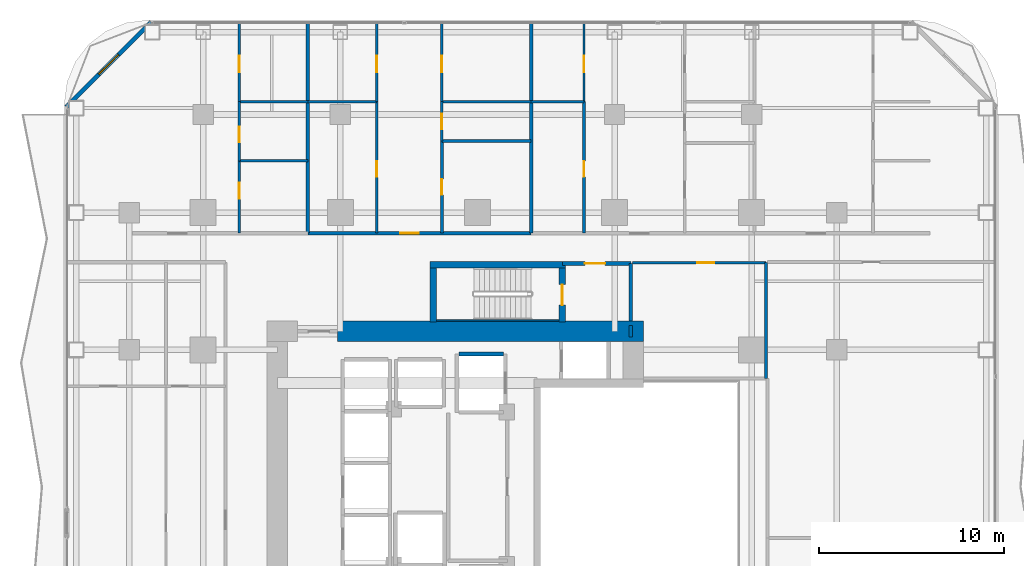
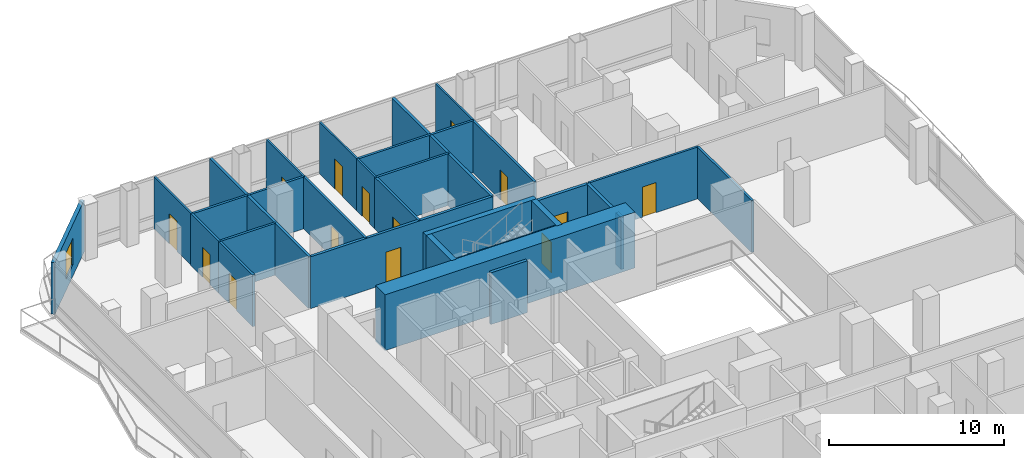
# One storey, part 23 of 27: 31 walls, 14 doors, 1 window, 15 openings.
"""IFC4 building model written with IfcOpenShell, lengths in metres."""

from ifc_helpers import new_model, si_unit, direction, frame, frame_2d, origin, place, context, subcontext, project, spatial, rectangle, extrude, material, layer, layer_set, type_object, element, fill, save


model = new_model("IFC4")

# Units and contexts
model_context = context("Model", 3, precision=1e-05, world=origin(), true_north=direction((0.0, 1.0)))
body_context = subcontext(model_context, "Body", "Model", "MODEL_VIEW")
ifc_project = project(units=[si_unit("LENGTHUNIT", "METRE"), si_unit("AREAUNIT", "SQUARE_METRE"), si_unit("VOLUMEUNIT", "CUBIC_METRE"), si_unit("PLANEANGLEUNIT", "RADIAN"), si_unit("MASSUNIT", "GRAM", prefix="KILO")], contexts=[model_context])

# Site, building, storey
site_placement = place(None, origin())
site = spatial("IfcSite", under=ifc_project, at=site_placement, CompositionType="ELEMENT")
building_placement = place(site_placement, origin())
building = spatial("IfcBuilding", under=site, at=building_placement, Name="Khorvyn Point Tower", CompositionType="ELEMENT")
storey_placement = place(building_placement, frame((0.0, 0.0, 50.10009765625)))
storey = spatial("IfcBuildingStorey", under=building, at=storey_placement, Name="L13", CompositionType="ELEMENT", Elevation=50.10009765625)

# Wall, opening, door
ifc_material_1 = material(Name="Double acoustic gypsum on twin steel stud", Category="steel")
ifc_layer_1 = layer(ifc_material_1, 0.179931640625)
ifc_layer_set_1 = layer_set([ifc_layer_1], Name="Acoustic Double-Stud Apartment Demising Wall 180")
wall_type_1 = type_object("IfcWallType", Name="Acoustic Double-Stud Apartment Demising Wall 180", PredefinedType="PARTITIONING", material=ifc_layer_set_1)
wall_1_placement = place(storey_placement, frame((-9.15087890625, 13.699951171875, 0.0), z_axis=(0.0, 0.0, 1.0), x_axis=(1.0, 0.0, 0.0)))
wall_1 = element("IfcWall", 1, at=wall_1_placement, inside=storey, type_object=wall_type_1, Name="Wall", PredefinedType="PARTITIONING", context=body_context, shape_type="SweptSolid", body=[
    extrude(rectangle(XDim=12.05078125, YDim=0.179931640625, at=frame_2d((6.025390625, 0.0))), origin(), (0.0, 0.0, 1.0), 3.619873046875),
])
opening_1_placement = place(wall_1_placement, frame((4.989013671875, 0.0, 0.0)))
opening_1 = element("IfcOpeningElement", 2, at=opening_1_placement, cuts=wall_1, Name="Opening ID-AP60", PredefinedType="OPENING", context=body_context, shape_type="SweptSolid", body=[
    extrude(rectangle(XDim=1.0, YDim=2.199951171875, at=frame_2d((0.5, 1.10009765625))), frame((0.0, 0.099853515625, 0.0), z_axis=(0.0, -1.0, 0.0), x_axis=(1.0, 0.0, 0.0)), (0.0, 0.0, 1.0), 0.199951171875),
])
ifc_material_2 = material(Name="Engineered hardwood fire-rated leaf", Category="wood")
door_type_1 = type_object("IfcDoorType", Name="Acoustic Solid-Core Timber Apartment Entrance Door 1000x2200", OperationType="NOTDEFINED", PredefinedType="DOOR", material=ifc_material_2)
door_1_placement = place(opening_1_placement, origin())
door_1 = element("IfcDoor", 3, at=door_1_placement, inside=storey, type_object=door_type_1, Name="Door", OperationType="SINGLE_SWING_RIGHT", OverallHeight=2.199951171875, OverallWidth=1.0, PredefinedType="DOOR", context=body_context, shape_type="SweptSolid", body=[
    extrude(rectangle(XDim=1.0, YDim=2.199951171875, at=frame_2d((0.5, 1.10009765625))), frame((0.0, 0.02490234375, 0.0), z_axis=(0.0, -1.0, 0.0), x_axis=(1.0, 0.0, 0.0)), (0.0, 0.0, 1.0), 0.050048828125),
])
fill(opening_1, door_1)

# Walls
for number, where, z_axis, x_axis, name in (
    (4, (-9.15087890625, 13.699951171875, 0.0), (0.0, 0.0, 1.0), (0.0, 1.0, 0.0), "Wall"),
    (5, (2.89990234375, 13.699951171875, 0.0), (0.0, 0.0, 1.0), (0.0, 1.0, 0.0), "Wall"),
):
    element("IfcWall", number, at=place(storey_placement, frame(where, z_axis=z_axis, x_axis=x_axis)), inside=storey, type_object=wall_type_1, Name=name, PredefinedType="PARTITIONING", context=body_context, shape_type="SweptSolid", body=[
        extrude(rectangle(XDim=11.330078125, YDim=0.179931640625, at=frame_2d((5.6650390625, 0.0))), origin(), (0.0, 0.0, 1.0), 3.619873046875),
    ])

# Wall, opening, window
ifc_material_3 = material(Name="Pale anodised aluminium rainscreen on steel stud", Category="steel")
ifc_layer_2 = layer(ifc_material_3, 0.239990234375)
ifc_layer_set_2 = layer_set([ifc_layer_2], Name="Anodised Aluminium Insulated Corner Spandrel Wall 240")
wall_type_2 = type_object("IfcWallType", Name="Anodised Aluminium Insulated Corner Spandrel Wall 240", PredefinedType="SOLIDWALL", material=ifc_layer_set_2)
wall_2_placement = place(storey_placement, frame((-22.1923828125, 20.507568359375, 0.0), z_axis=(0.0, 0.0, 1.0), x_axis=(0.707106781187, 0.707106781187, 0.0)))
wall_2 = element("IfcWall", 6, at=wall_2_placement, inside=storey, type_object=wall_type_2, Name="L13 Rounded Corner Wall NW", PredefinedType="SOLIDWALL", context=body_context, shape_type="SweptSolid", body=[
    extrude(rectangle(XDim=6.48388671875, YDim=0.239990234375, at=frame_2d((3.241943359375, 0.0))), origin(), (0.0, 0.0, 1.0), 3.619873046875),
])
opening_2_placement = place(wall_2_placement, frame((2.491943359375, 0.0, 0.800048828125)))
opening_2 = element("IfcOpeningElement", 7, at=opening_2_placement, cuts=wall_2, Name="Opening WN-1518", PredefinedType="OPENING", context=body_context, shape_type="SweptSolid", body=[
    extrude(rectangle(XDim=1.5, YDim=1.85009765625, at=frame_2d((0.75, 0.925048828125))), frame((0.0, 0.1298828125, 0.0), z_axis=(0.0, -1.0, 0.0), x_axis=(1.0, 0.0, 0.0)), (0.0, 0.0, 1.0), 0.260009765625),
])
ifc_material_4 = material(Name="Anodised aluminium 6063-T6 and laminated Low-E glass", Category="aluminium")
window_type = type_object("IfcWindowType", Name="Anodised Aluminium Rounded-Corner Panoramic Window 1500x1850", PartitioningType="SINGLE_PANEL", PredefinedType="WINDOW", material=ifc_material_4)
window_placement = place(opening_2_placement, origin())
window = element("IfcWindow", 8, at=window_placement, inside=storey, type_object=window_type, Name="L13 Corner Panoramic Window NW", OverallHeight=1.85009765625, OverallWidth=1.5, PartitioningType="SINGLE_PANEL", PredefinedType="WINDOW", context=body_context, shape_type="SweptSolid", body=[
    extrude(rectangle(XDim=1.5, YDim=1.85009765625, at=frame_2d((0.75, 0.925048828125))), frame((0.0, 0.030029296875, 0.0), z_axis=(0.0, -1.0, 0.0), x_axis=(1.0, 0.0, 0.0)), (0.0, 0.0, 1.0), 0.06005859375),
])
fill(opening_2, window)

# Wall, opening, door
ifc_material_5 = material(Name="Concrete C40/50", Category="concrete")
ifc_layer_3 = layer(ifc_material_5, 0.199951171875)
ifc_layer_set_3 = layer_set([ifc_layer_3], Name="Concrete C40/50 Fire-Lobby Compartment Wall 200")
wall_type_3 = type_object("IfcWallType", Name="Concrete C40/50 Fire-Lobby Compartment Wall 200", PredefinedType="SOLIDWALL", material=ifc_layer_set_3)
wall_3_placement = place(storey_placement, frame((4.580078125, 12.06005859375, 0.0), z_axis=(0.0, 0.0, 1.0), x_axis=(1.0, 0.0, 0.0)))
wall_3 = element("IfcWall", 9, at=wall_3_placement, inside=storey, type_object=wall_type_3, Name="Wall", PredefinedType="SOLIDWALL", context=body_context, shape_type="SweptSolid", body=[
    extrude(rectangle(XDim=3.699951171875, YDim=0.199951171875, at=frame_2d((1.85009765625, 0.0))), origin(), (0.0, 0.0, 1.0), 3.619873046875),
])
opening_3_placement = place(wall_3_placement, frame((1.21240234375, 0.0, 0.0)))
opening_3 = element("IfcOpeningElement", 10, at=opening_3_placement, cuts=wall_3, Name="Opening ID-FL90", PredefinedType="OPENING", context=body_context, shape_type="SweptSolid", body=[
    extrude(rectangle(XDim=1.10009765625, YDim=2.14990234375, at=frame_2d((0.550048828125, 1.074951171875))), frame((0.0, 0.10986328125, 0.0), z_axis=(0.0, -1.0, 0.0), x_axis=(1.0, 0.0, 0.0)), (0.0, 0.0, 1.0), 0.219970703125),
])
ifc_material_6 = material(Name="Galvanised powder-coated steel", Category="steel")
door_type_2 = type_object("IfcDoorType", Name="Fire-Rated Steel Lobby and Stair Door 1100x2150", OperationType="NOTDEFINED", PredefinedType="DOOR", material=ifc_material_6)
door_2_placement = place(opening_3_placement, origin())
door_2 = element("IfcDoor", 11, at=door_2_placement, inside=storey, type_object=door_type_2, Name="Door", OperationType="SINGLE_SWING_RIGHT", OverallHeight=2.14990234375, OverallWidth=1.10009765625, PredefinedType="DOOR", context=body_context, shape_type="SweptSolid", body=[
    extrude(rectangle(XDim=1.10009765625, YDim=2.14990234375, at=frame_2d((0.550048828125, 1.074951171875))), frame((0.0, 0.02490234375, 0.0), z_axis=(0.0, -1.0, 0.0), x_axis=(1.0, 0.0, 0.0)), (0.0, 0.0, 1.0), 0.050048828125),
])
fill(opening_3, door_2)

# Walls
wall_4_placement = place(storey_placement, frame((8.280029296875, 8.949951171875, 0.0), z_axis=(0.0, 0.0, 1.0), x_axis=(0.0, 1.0, 0.0)))
element("IfcWall", 12, at=wall_4_placement, inside=storey, type_object=wall_type_3, Name="Wall", PredefinedType="SOLIDWALL", context=body_context, shape_type="SweptSolid", body=[
    extrude(rectangle(XDim=3.110107421875, YDim=0.199951171875, at=frame_2d((1.55517578125, 0.0))), origin(), (0.0, 0.0, 1.0), 3.619873046875),
])
wall_5_placement = place(storey_placement, frame((8.280029296875, 8.10009765625, 0.0), z_axis=(0.0, 0.0, 1.0), x_axis=(0.0, 1.0, 0.0)))
element("IfcWall", 13, at=wall_5_placement, inside=storey, type_object=wall_type_3, Name="Wall", PredefinedType="SOLIDWALL", context=body_context, shape_type="SweptSolid", body=[
    extrude(rectangle(XDim=0.625, YDim=0.199951171875, at=frame_2d((0.3125, 0.0))), origin(), (0.0, 0.0, 1.0), 3.619873046875),
])
ifc_layer_4 = layer(ifc_material_5, 0.25)
ifc_layer_set_4 = layer_set([ifc_layer_4], Name="Concrete C40/50 Stair Inner Cheek Structural Wall 250")
wall_type_4 = type_object("IfcWallType", Name="Concrete C40/50 Stair Inner Cheek Structural Wall 250", PredefinedType="SHEAR", material=ifc_layer_set_4)
wall_6_placement = place(storey_placement, frame((-2.199951171875, 8.987548828125, 0.0), z_axis=(0.0, 0.0, 1.0), x_axis=(1.0, 0.0, 0.0)))
element("IfcWall", 14, at=wall_6_placement, inside=storey, type_object=wall_type_4, Name="Wall", PredefinedType="SHEAR", context=body_context, shape_type="SweptSolid", body=[
    extrude(rectangle(XDim=6.599853515625, YDim=0.074951171875, at=frame_2d((3.2998046875, 0.0))), origin(), (0.0, 0.0, 1.0), 3.89990234375),
])
ifc_layer_5 = layer(ifc_material_5, 0.35009765625)
ifc_layer_set_5 = layer_set([ifc_layer_5], Name="Concrete C40/50 Stair Shaft Structural Wall 350")
wall_type_5 = type_object("IfcWallType", Name="Concrete C40/50 Stair Shaft Structural Wall 350", PredefinedType="SHEAR", material=ifc_layer_set_5)
wall_7_placement = place(storey_placement, frame((-2.554931640625, 12.0, 0.0), z_axis=(0.0, 0.0, 1.0), x_axis=(1.0, 0.0, 0.0)))
element("IfcWall", 15, at=wall_7_placement, inside=storey, type_object=wall_type_5, Name="L13 ST-02 North Shaft Wall", PredefinedType="SHEAR", context=body_context, shape_type="SweptSolid", body=[
    extrude(rectangle(XDim=7.309814453125, YDim=0.35009765625, at=frame_2d((3.65478515625, 0.0))), origin(), (0.0, 0.0, 1.0), 3.89990234375),
])
wall_8_placement = place(storey_placement, frame((-2.3798828125, 8.89990234375, 0.0), z_axis=(0.0, 0.0, 1.0), x_axis=(0.0, 1.0, 0.0)))
element("IfcWall", 16, at=wall_8_placement, inside=storey, type_object=wall_type_5, Name="L13 ST-02 West Shaft Wall", PredefinedType="SHEAR", context=body_context, shape_type="SweptSolid", body=[
    extrude(rectangle(XDim=2.925048828125, YDim=0.35009765625, at=frame_2d((1.46240234375, 0.0))), origin(), (0.0, 0.0, 1.0), 3.89990234375),
])

# Wall, opening, door
wall_9_placement = place(storey_placement, frame((4.580078125, 11.824951171875, 0.0), z_axis=(0.0, 0.0, 1.0), x_axis=(0.0, -1.0, 0.0)))
wall_9 = element("IfcWall", 17, at=wall_9_placement, inside=storey, type_object=wall_type_5, Name="L13 ST-02 East Landing Door Wall", PredefinedType="SHEAR", context=body_context, shape_type="SweptSolid", body=[
    extrude(rectangle(XDim=2.925048828125, YDim=0.35009765625, at=frame_2d((1.46240234375, 0.0))), origin(), (0.0, 0.0, 1.0), 3.89990234375),
])
opening_4_placement = place(wall_9_placement, frame((0.91259765625, 0.0, 0.0)))
opening_4 = element("IfcOpeningElement", 18, at=opening_4_placement, cuts=wall_9, Name="Opening ID-FL90", PredefinedType="OPENING", context=body_context, shape_type="SweptSolid", body=[
    extrude(rectangle(XDim=1.10009765625, YDim=2.14990234375, at=frame_2d((0.550048828125, 1.074951171875))), frame((0.0, 0.18505859375, 0.0), z_axis=(0.0, -1.0, 0.0), x_axis=(1.0, 0.0, 0.0)), (0.0, 0.0, 1.0), 0.3701171875),
])
door_3_placement = place(opening_4_placement, origin())
door_3 = element("IfcDoor", 19, at=door_3_placement, inside=storey, type_object=door_type_2, Name="L13 ST-02 Smokeproof Landing Door", OperationType="SINGLE_SWING_RIGHT", OverallHeight=2.14990234375, OverallWidth=1.10009765625, PredefinedType="DOOR", context=body_context, shape_type="SweptSolid", body=[
    extrude(rectangle(XDim=1.10009765625, YDim=2.14990234375, at=frame_2d((0.550048828125, 1.074951171875))), frame((0.0, 0.02490234375, 0.0), z_axis=(0.0, -1.0, 0.0), x_axis=(1.0, 0.0, 0.0)), (0.0, 0.0, 1.0), 0.050048828125),
])
fill(opening_4, door_3)

# Walls
ifc_layer_6 = layer(ifc_material_5, 0.199951171875)
ifc_layer_set_6 = layer_set([ifc_layer_6], Name="Concrete C40/50 Structural Hoistway and Stair Shaft Wall 200")
wall_type_6 = type_object("IfcWallType", Name="Concrete C40/50 Structural Hoistway and Stair Shaft Wall 200", PredefinedType="SHEAR", material=ifc_layer_set_6)
wall_10_placement = place(storey_placement, frame((-1.0, 7.175048828125, 0.0), z_axis=(0.0, 0.0, 1.0), x_axis=(1.0, 0.0, 0.0)))
element("IfcWall", 20, at=wall_10_placement, inside=storey, type_object=wall_type_6, Name="Wall", PredefinedType="SHEAR", context=body_context, shape_type="SweptSolid", body=[
    extrude(rectangle(XDim=2.39990234375, YDim=0.199951171875, at=frame_2d((1.199951171875, 0.0))), origin(), (0.0, 0.0, 1.0), 3.619873046875),
])
ifc_material_7 = material(Name="Concrete C50/60", Category="concrete")
ifc_layer_7 = layer(ifc_material_7, 1.10009765625)
ifc_layer_set_7 = layer_set([ifc_layer_7], Name="Concrete C50/60 Core Shear Wall 1100")
wall_type_7 = type_object("IfcWallType", Name="Concrete C50/60 Core Shear Wall 1100", PredefinedType="SHEAR", material=ifc_layer_set_7)
wall_11_placement = place(storey_placement, frame((-7.550048828125, 8.39990234375, 0.0), z_axis=(0.0, 0.0, 1.0), x_axis=(1.0, 0.0, 0.0)))
element("IfcWall", 21, at=wall_11_placement, inside=storey, type_object=wall_type_7, Name="Wall", PredefinedType="SHEAR", context=body_context, shape_type="SweptSolid", body=[
    extrude(rectangle(XDim=16.5, YDim=1.10009765625, at=frame_2d((8.25, 0.0))), origin(), (0.0, 0.0, 1.0), 3.89990234375),
])

# Wall, opening, door
ifc_material_8 = material(Name="Gypsum plasterboard on steel stud", Category="steel")
ifc_layer_8 = layer(ifc_material_8, 0.1201171875)
ifc_layer_set_8 = layer_set([ifc_layer_8], Name="Gypsum Acoustic Stud Room Partition Wall 120")
wall_type_8 = type_object("IfcWallType", Name="Gypsum Acoustic Stud Room Partition Wall 120", PredefinedType="PARTITIONING", material=ifc_layer_set_8)
wall_12_placement = place(storey_placement, frame((-12.85400390625, 20.7900390625, 0.0), z_axis=(0.0, 0.0, 1.0), x_axis=(0.0, 1.0, 0.0)))
wall_12 = element("IfcWall", 22, at=wall_12_placement, inside=storey, type_object=wall_type_8, Name="Wall", PredefinedType="PARTITIONING", context=body_context, shape_type="SweptSolid", body=[
    extrude(rectangle(XDim=4.239990234375, YDim=0.1201171875, at=frame_2d((2.1201171875, 0.0))), origin(), (0.0, 0.0, 1.0), 3.619873046875),
])
opening_5_placement = place(wall_12_placement, frame((1.581298828125, 0.0, 0.0)))
opening_5 = element("IfcOpeningElement", 23, at=opening_5_placement, cuts=wall_12, Name="Opening ID-RM90", PredefinedType="OPENING", context=body_context, shape_type="SweptSolid", body=[
    extrude(rectangle(XDim=0.89990234375, YDim=2.10009765625, at=frame_2d((0.449951171875, 1.050048828125))), frame((0.0, 0.070068359375, 0.0), z_axis=(0.0, -1.0, 0.0), x_axis=(1.0, 0.0, 0.0)), (0.0, 0.0, 1.0), 0.14013671875),
])
ifc_material_9 = material(Name="Engineered oak veneer timber", Category="wood")
door_type_3 = type_object("IfcDoorType", Name="Flush Engineered Timber Room Door 900x2100", OperationType="NOTDEFINED", PredefinedType="DOOR", material=ifc_material_9)
door_4_placement = place(opening_5_placement, origin())
door_4 = element("IfcDoor", 24, at=door_4_placement, inside=storey, type_object=door_type_3, Name="Door", OperationType="SINGLE_SWING_LEFT", OverallHeight=2.10009765625, OverallWidth=0.89990234375, PredefinedType="DOOR", context=body_context, shape_type="SweptSolid", body=[
    extrude(rectangle(XDim=0.89990234375, YDim=2.10009765625, at=frame_2d((0.449951171875, 1.050048828125))), frame((0.0, 0.02490234375, 0.0), z_axis=(0.0, -1.0, 0.0), x_axis=(1.0, 0.0, 0.0)), (0.0, 0.0, 1.0), 0.050048828125),
])
fill(opening_5, door_4)

wall_13_placement = place(storey_placement, frame((-5.43408203125, 20.7900390625, 0.0), z_axis=(0.0, 0.0, 1.0), x_axis=(0.0, 1.0, 0.0)))
wall_13 = element("IfcWall", 25, at=wall_13_placement, inside=storey, type_object=wall_type_8, Name="Wall", PredefinedType="PARTITIONING", context=body_context, shape_type="SweptSolid", body=[
    extrude(rectangle(XDim=4.239990234375, YDim=0.1201171875, at=frame_2d((2.1201171875, 0.0))), origin(), (0.0, 0.0, 1.0), 3.619873046875),
])
opening_6_placement = place(wall_13_placement, frame((1.581298828125, 0.0, 0.0)))
opening_6 = element("IfcOpeningElement", 26, at=opening_6_placement, cuts=wall_13, Name="Opening ID-RM90", PredefinedType="OPENING", context=body_context, shape_type="SweptSolid", body=[
    extrude(rectangle(XDim=0.89990234375, YDim=2.10009765625, at=frame_2d((0.449951171875, 1.050048828125))), frame((0.0, 0.070068359375, 0.0), z_axis=(0.0, -1.0, 0.0), x_axis=(1.0, 0.0, 0.0)), (0.0, 0.0, 1.0), 0.14013671875),
])
door_5_placement = place(opening_6_placement, origin())
door_5 = element("IfcDoor", 27, at=door_5_placement, inside=storey, type_object=door_type_3, Name="Door", OperationType="SINGLE_SWING_RIGHT", OverallHeight=2.10009765625, OverallWidth=0.89990234375, PredefinedType="DOOR", context=body_context, shape_type="SweptSolid", body=[
    extrude(rectangle(XDim=0.89990234375, YDim=2.10009765625, at=frame_2d((0.449951171875, 1.050048828125))), frame((0.0, 0.02490234375, 0.0), z_axis=(0.0, -1.0, 0.0), x_axis=(1.0, 0.0, 0.0)), (0.0, 0.0, 1.0), 0.050048828125),
])
fill(opening_6, door_5)

wall_14_placement = place(storey_placement, frame((-1.919921875, 18.6630859375, 0.0), z_axis=(0.0, 0.0, 1.0), x_axis=(0.0, 1.0, 0.0)))
wall_14 = element("IfcWall", 28, at=wall_14_placement, inside=storey, type_object=wall_type_8, Name="Wall", PredefinedType="PARTITIONING", context=body_context, shape_type="SweptSolid", body=[
    extrude(rectangle(XDim=2.126953125, YDim=0.1201171875, at=frame_2d((1.0634765625, 0.0))), origin(), (0.0, 0.0, 1.0), 3.619873046875),
])
opening_7_placement = place(wall_14_placement, frame((0.638427734375, 0.0, 0.0)))
opening_7 = element("IfcOpeningElement", 29, at=opening_7_placement, cuts=wall_14, Name="Opening ID-WC85", PredefinedType="OPENING", context=body_context, shape_type="SweptSolid", body=[
    extrude(rectangle(XDim=0.85009765625, YDim=2.10009765625, at=frame_2d((0.425048828125, 1.050048828125))), frame((0.0, 0.070068359375, 0.0), z_axis=(0.0, -1.0, 0.0), x_axis=(1.0, 0.0, 0.0)), (0.0, 0.0, 1.0), 0.14013671875),
])
ifc_material_10 = material(Name="High-pressure laminate on moisture-resistant core", Category="wood")
door_type_4 = type_object("IfcDoorType", Name="Moisture-Resistant Accessible Washroom Door 850x2100", OperationType="NOTDEFINED", PredefinedType="DOOR", material=ifc_material_10)
door_6_placement = place(opening_7_placement, origin())
door_6 = element("IfcDoor", 30, at=door_6_placement, inside=storey, type_object=door_type_4, Name="Door", OperationType="SINGLE_SWING_RIGHT", OverallHeight=2.10009765625, OverallWidth=0.85009765625, PredefinedType="DOOR", context=body_context, shape_type="SweptSolid", body=[
    extrude(rectangle(XDim=0.85009765625, YDim=2.10009765625, at=frame_2d((0.425048828125, 1.050048828125))), frame((0.0, 0.02490234375, 0.0), z_axis=(0.0, -1.0, 0.0), x_axis=(1.0, 0.0, 0.0)), (0.0, 0.0, 1.0), 0.050048828125),
])
fill(opening_7, door_6)

wall_15_placement = place(storey_placement, frame((-1.919921875, 20.7900390625, 0.0), z_axis=(0.0, 0.0, 1.0), x_axis=(0.0, 1.0, 0.0)))
wall_15 = element("IfcWall", 31, at=wall_15_placement, inside=storey, type_object=wall_type_8, Name="Wall", PredefinedType="PARTITIONING", context=body_context, shape_type="SweptSolid", body=[
    extrude(rectangle(XDim=4.239990234375, YDim=0.1201171875, at=frame_2d((2.1201171875, 0.0))), origin(), (0.0, 0.0, 1.0), 3.619873046875),
])
opening_8_placement = place(wall_15_placement, frame((1.581298828125, 0.0, 0.0)))
opening_8 = element("IfcOpeningElement", 32, at=opening_8_placement, cuts=wall_15, Name="Opening ID-RM90", PredefinedType="OPENING", context=body_context, shape_type="SweptSolid", body=[
    extrude(rectangle(XDim=0.89990234375, YDim=2.10009765625, at=frame_2d((0.449951171875, 1.050048828125))), frame((0.0, 0.070068359375, 0.0), z_axis=(0.0, -1.0, 0.0), x_axis=(1.0, 0.0, 0.0)), (0.0, 0.0, 1.0), 0.14013671875),
])
door_7_placement = place(opening_8_placement, origin())
door_7 = element("IfcDoor", 33, at=door_7_placement, inside=storey, type_object=door_type_3, Name="Door", OperationType="SINGLE_SWING_LEFT", OverallHeight=2.10009765625, OverallWidth=0.89990234375, PredefinedType="DOOR", context=body_context, shape_type="SweptSolid", body=[
    extrude(rectangle(XDim=0.89990234375, YDim=2.10009765625, at=frame_2d((0.449951171875, 1.050048828125))), frame((0.0, 0.02490234375, 0.0), z_axis=(0.0, -1.0, 0.0), x_axis=(1.0, 0.0, 0.0)), (0.0, 0.0, 1.0), 0.050048828125),
])
fill(opening_8, door_7)

wall_16_placement = place(storey_placement, frame((5.75, 20.7900390625, 0.0), z_axis=(0.0, 0.0, 1.0), x_axis=(0.0, 1.0, 0.0)))
wall_16 = element("IfcWall", 34, at=wall_16_placement, inside=storey, type_object=wall_type_8, Name="Wall", PredefinedType="PARTITIONING", context=body_context, shape_type="SweptSolid", body=[
    extrude(rectangle(XDim=4.239990234375, YDim=0.1201171875, at=frame_2d((2.1201171875, 0.0))), origin(), (0.0, 0.0, 1.0), 3.619873046875),
])
opening_9_placement = place(wall_16_placement, frame((1.581298828125, 0.0, 0.0)))
opening_9 = element("IfcOpeningElement", 35, at=opening_9_placement, cuts=wall_16, Name="Opening ID-RM90", PredefinedType="OPENING", context=body_context, shape_type="SweptSolid", body=[
    extrude(rectangle(XDim=0.89990234375, YDim=2.10009765625, at=frame_2d((0.449951171875, 1.050048828125))), frame((0.0, 0.070068359375, 0.0), z_axis=(0.0, -1.0, 0.0), x_axis=(1.0, 0.0, 0.0)), (0.0, 0.0, 1.0), 0.14013671875),
])
door_8_placement = place(opening_9_placement, origin())
door_8 = element("IfcDoor", 36, at=door_8_placement, inside=storey, type_object=door_type_3, Name="Door", OperationType="SINGLE_SWING_RIGHT", OverallHeight=2.10009765625, OverallWidth=0.89990234375, PredefinedType="DOOR", context=body_context, shape_type="SweptSolid", body=[
    extrude(rectangle(XDim=0.89990234375, YDim=2.10009765625, at=frame_2d((0.449951171875, 1.050048828125))), frame((0.0, 0.02490234375, 0.0), z_axis=(0.0, -1.0, 0.0), x_axis=(1.0, 0.0, 0.0)), (0.0, 0.0, 1.0), 0.050048828125),
])
fill(opening_9, door_8)

ifc_material_11 = material(Name="Moisture-resistant gypsum and cement board", Category="gypsum")
ifc_layer_9 = layer(ifc_material_11, 0.14990234375)
ifc_layer_set_9 = layer_set([ifc_layer_9], Name="Moisture-Resistant Wet-Room Partition Wall 150")
wall_type_9 = type_object("IfcWallType", Name="Moisture-Resistant Wet-Room Partition Wall 150", PredefinedType="PARTITIONING", material=ifc_layer_set_9)
wall_17_placement = place(storey_placement, frame((8.360107421875, 12.10009765625, 0.0), z_axis=(0.0, 0.0, 1.0), x_axis=(1.0, 0.0, 0.0)))
wall_17 = element("IfcWall", 37, at=wall_17_placement, inside=storey, type_object=wall_type_9, Name="Wall", PredefinedType="PARTITIONING", context=body_context, shape_type="SweptSolid", body=[
    extrude(rectangle(XDim=7.219970703125, YDim=0.14990234375, at=frame_2d((3.60986328125, 0.0))), origin(), (0.0, 0.0, 1.0), 3.619873046875),
])
opening_10_placement = place(wall_17_placement, frame((3.512939453125, 0.0, 0.0)))
opening_10 = element("IfcOpeningElement", 38, at=opening_10_placement, cuts=wall_17, Name="Opening ID-RM90", PredefinedType="OPENING", context=body_context, shape_type="SweptSolid", body=[
    extrude(rectangle(XDim=0.89990234375, YDim=2.10009765625, at=frame_2d((0.449951171875, 1.050048828125))), frame((0.0, 0.0849609375, 0.0), z_axis=(0.0, -1.0, 0.0), x_axis=(1.0, 0.0, 0.0)), (0.0, 0.0, 1.0), 0.169921875),
])
door_9_placement = place(opening_10_placement, origin())
door_9 = element("IfcDoor", 39, at=door_9_placement, inside=storey, type_object=door_type_3, Name="Door", OperationType="SINGLE_SWING_LEFT", OverallHeight=2.10009765625, OverallWidth=0.89990234375, PredefinedType="DOOR", context=body_context, shape_type="SweptSolid", body=[
    extrude(rectangle(XDim=0.89990234375, YDim=2.10009765625, at=frame_2d((0.449951171875, 1.050048828125))), frame((0.0, 0.02490234375, 0.0), z_axis=(0.0, -1.0, 0.0), x_axis=(1.0, 0.0, 0.0)), (0.0, 0.0, 1.0), 0.050048828125),
])
fill(opening_10, door_9)

wall_18_placement = place(storey_placement, frame((-12.85400390625, 13.699951171875, 0.0), z_axis=(0.0, 0.0, 1.0), x_axis=(0.0, 1.0, 0.0)))
wall_18 = element("IfcWall", 40, at=wall_18_placement, inside=storey, type_object=wall_type_9, Name="Wall", PredefinedType="PARTITIONING", context=body_context, shape_type="SweptSolid", body=[
    extrude(rectangle(XDim=3.899169921875, YDim=0.14990234375, at=frame_2d((1.94970703125, 0.0))), origin(), (0.0, 0.0, 1.0), 3.619873046875),
])
opening_11_placement = place(wall_18_placement, frame((1.865478515625, 0.0, 0.0)))
opening_11 = element("IfcOpeningElement", 41, at=opening_11_placement, cuts=wall_18, Name="Opening ID-WC85", PredefinedType="OPENING", context=body_context, shape_type="SweptSolid", body=[
    extrude(rectangle(XDim=0.85009765625, YDim=2.10009765625, at=frame_2d((0.425048828125, 1.050048828125))), frame((0.0, 0.0849609375, 0.0), z_axis=(0.0, -1.0, 0.0), x_axis=(1.0, 0.0, 0.0)), (0.0, 0.0, 1.0), 0.169921875),
])
door_10_placement = place(opening_11_placement, origin())
door_10 = element("IfcDoor", 42, at=door_10_placement, inside=storey, type_object=door_type_4, Name="Door", OperationType="SINGLE_SWING_LEFT", OverallHeight=2.10009765625, OverallWidth=0.85009765625, PredefinedType="DOOR", context=body_context, shape_type="SweptSolid", body=[
    extrude(rectangle(XDim=0.85009765625, YDim=2.10009765625, at=frame_2d((0.425048828125, 1.050048828125))), frame((0.0, 0.02490234375, 0.0), z_axis=(0.0, -1.0, 0.0), x_axis=(1.0, 0.0, 0.0)), (0.0, 0.0, 1.0), 0.050048828125),
])
fill(opening_11, door_10)

wall_19_placement = place(storey_placement, frame((-12.85400390625, 17.59912109375, 0.0), z_axis=(0.0, 0.0, 1.0), x_axis=(0.0, 1.0, 0.0)))
wall_19 = element("IfcWall", 43, at=wall_19_placement, inside=storey, type_object=wall_type_9, Name="Wall", PredefinedType="PARTITIONING", context=body_context, shape_type="SweptSolid", body=[
    extrude(rectangle(XDim=3.19091796875, YDim=0.14990234375, at=frame_2d((1.595458984375, 0.0))), origin(), (0.0, 0.0, 1.0), 3.619873046875),
])
opening_12_placement = place(wall_19_placement, frame((1.002197265625, 0.0, 0.0)))
opening_12 = element("IfcOpeningElement", 44, at=opening_12_placement, cuts=wall_19, Name="Opening ID-WC85", PredefinedType="OPENING", context=body_context, shape_type="SweptSolid", body=[
    extrude(rectangle(XDim=0.85009765625, YDim=2.10009765625, at=frame_2d((0.425048828125, 1.050048828125))), frame((0.0, 0.0849609375, 0.0), z_axis=(0.0, -1.0, 0.0), x_axis=(1.0, 0.0, 0.0)), (0.0, 0.0, 1.0), 0.169921875),
])
door_11_placement = place(opening_12_placement, origin())
door_11 = element("IfcDoor", 45, at=door_11_placement, inside=storey, type_object=door_type_4, Name="Door", OperationType="SINGLE_SWING_RIGHT", OverallHeight=2.10009765625, OverallWidth=0.85009765625, PredefinedType="DOOR", context=body_context, shape_type="SweptSolid", body=[
    extrude(rectangle(XDim=0.85009765625, YDim=2.10009765625, at=frame_2d((0.425048828125, 1.050048828125))), frame((0.0, 0.02490234375, 0.0), z_axis=(0.0, -1.0, 0.0), x_axis=(1.0, 0.0, 0.0)), (0.0, 0.0, 1.0), 0.050048828125),
])
fill(opening_12, door_11)

wall_20_placement = place(storey_placement, frame((-5.43408203125, 13.699951171875, 0.0), z_axis=(0.0, 0.0, 1.0), x_axis=(0.0, 1.0, 0.0)))
wall_20 = element("IfcWall", 46, at=wall_20_placement, inside=storey, type_object=wall_type_9, Name="Wall", PredefinedType="PARTITIONING", context=body_context, shape_type="SweptSolid", body=[
    extrude(rectangle(XDim=7.090087890625, YDim=0.14990234375, at=frame_2d((3.544921875, 0.0))), origin(), (0.0, 0.0, 1.0), 3.619873046875),
])
opening_13_placement = place(wall_20_placement, frame((3.0302734375, 0.0, 0.0)))
opening_13 = element("IfcOpeningElement", 47, at=opening_13_placement, cuts=wall_20, Name="Opening ID-WC85", PredefinedType="OPENING", context=body_context, shape_type="SweptSolid", body=[
    extrude(rectangle(XDim=0.85009765625, YDim=2.10009765625, at=frame_2d((0.425048828125, 1.050048828125))), frame((0.0, 0.0849609375, 0.0), z_axis=(0.0, -1.0, 0.0), x_axis=(1.0, 0.0, 0.0)), (0.0, 0.0, 1.0), 0.169921875),
])
door_12_placement = place(opening_13_placement, origin())
door_12 = element("IfcDoor", 48, at=door_12_placement, inside=storey, type_object=door_type_4, Name="Door", OperationType="SINGLE_SWING_LEFT", OverallHeight=2.10009765625, OverallWidth=0.85009765625, PredefinedType="DOOR", context=body_context, shape_type="SweptSolid", body=[
    extrude(rectangle(XDim=0.85009765625, YDim=2.10009765625, at=frame_2d((0.425048828125, 1.050048828125))), frame((0.0, 0.02490234375, 0.0), z_axis=(0.0, -1.0, 0.0), x_axis=(1.0, 0.0, 0.0)), (0.0, 0.0, 1.0), 0.050048828125),
])
fill(opening_13, door_12)

wall_21_placement = place(storey_placement, frame((-1.919921875, 13.699951171875, 0.0), z_axis=(0.0, 0.0, 1.0), x_axis=(0.0, 1.0, 0.0)))
wall_21 = element("IfcWall", 49, at=wall_21_placement, inside=storey, type_object=wall_type_9, Name="Wall", PredefinedType="PARTITIONING", context=body_context, shape_type="SweptSolid", body=[
    extrude(rectangle(XDim=4.963134765625, YDim=0.14990234375, at=frame_2d((2.4814453125, 0.0))), origin(), (0.0, 0.0, 1.0), 3.619873046875),
])
opening_14_placement = place(wall_21_placement, frame((2.056396484375, 0.0, 0.0)))
opening_14 = element("IfcOpeningElement", 50, at=opening_14_placement, cuts=wall_21, Name="Opening ID-WC85", PredefinedType="OPENING", context=body_context, shape_type="SweptSolid", body=[
    extrude(rectangle(XDim=0.85009765625, YDim=2.10009765625, at=frame_2d((0.425048828125, 1.050048828125))), frame((0.0, 0.0849609375, 0.0), z_axis=(0.0, -1.0, 0.0), x_axis=(1.0, 0.0, 0.0)), (0.0, 0.0, 1.0), 0.169921875),
])
door_13_placement = place(opening_14_placement, origin())
door_13 = element("IfcDoor", 51, at=door_13_placement, inside=storey, type_object=door_type_4, Name="Door", OperationType="SINGLE_SWING_LEFT", OverallHeight=2.10009765625, OverallWidth=0.85009765625, PredefinedType="DOOR", context=body_context, shape_type="SweptSolid", body=[
    extrude(rectangle(XDim=0.85009765625, YDim=2.10009765625, at=frame_2d((0.425048828125, 1.050048828125))), frame((0.0, 0.02490234375, 0.0), z_axis=(0.0, -1.0, 0.0), x_axis=(1.0, 0.0, 0.0)), (0.0, 0.0, 1.0), 0.050048828125),
])
fill(opening_14, door_13)

wall_22_placement = place(storey_placement, frame((5.75, 13.699951171875, 0.0), z_axis=(0.0, 0.0, 1.0), x_axis=(0.0, 1.0, 0.0)))
wall_22 = element("IfcWall", 52, at=wall_22_placement, inside=storey, type_object=wall_type_9, Name="Wall", PredefinedType="PARTITIONING", context=body_context, shape_type="SweptSolid", body=[
    extrude(rectangle(XDim=7.090087890625, YDim=0.14990234375, at=frame_2d((3.544921875, 0.0))), origin(), (0.0, 0.0, 1.0), 3.619873046875),
])
opening_15_placement = place(wall_22_placement, frame((3.0302734375, 0.0, 0.0)))
opening_15 = element("IfcOpeningElement", 53, at=opening_15_placement, cuts=wall_22, Name="Opening ID-WC85", PredefinedType="OPENING", context=body_context, shape_type="SweptSolid", body=[
    extrude(rectangle(XDim=0.85009765625, YDim=2.10009765625, at=frame_2d((0.425048828125, 1.050048828125))), frame((0.0, 0.0849609375, 0.0), z_axis=(0.0, -1.0, 0.0), x_axis=(1.0, 0.0, 0.0)), (0.0, 0.0, 1.0), 0.169921875),
])
door_14_placement = place(opening_15_placement, origin())
door_14 = element("IfcDoor", 54, at=door_14_placement, inside=storey, type_object=door_type_4, Name="Door", OperationType="SINGLE_SWING_LEFT", OverallHeight=2.10009765625, OverallWidth=0.85009765625, PredefinedType="DOOR", context=body_context, shape_type="SweptSolid", body=[
    extrude(rectangle(XDim=0.85009765625, YDim=2.10009765625, at=frame_2d((0.425048828125, 1.050048828125))), frame((0.0, 0.02490234375, 0.0), z_axis=(0.0, -1.0, 0.0), x_axis=(1.0, 0.0, 0.0)), (0.0, 0.0, 1.0), 0.050048828125),
])
fill(opening_15, door_14)

# Walls
wall_23_placement = place(storey_placement, frame((15.580078125, 5.85009765625, 0.0), z_axis=(0.0, 0.0, 1.0), x_axis=(0.0, 1.0, 0.0)))
element("IfcWall", 55, at=wall_23_placement, inside=storey, type_object=wall_type_9, Name="Wall", PredefinedType="PARTITIONING", context=body_context, shape_type="SweptSolid", body=[
    extrude(rectangle(XDim=6.25, YDim=0.14990234375, at=frame_2d((3.125, 0.0))), origin(), (0.0, 0.0, 1.0), 3.619873046875),
])
for number, where, z_axis, x_axis, name in (
    (56, (-12.85400390625, 17.59912109375, 0.0), (0.0, 0.0, 1.0), (1.0, 0.0, 0.0), "Wall"),
    (57, (-12.85400390625, 20.7900390625, 0.0), (0.0, 0.0, 1.0), (1.0, 0.0, 0.0), "Wall"),
):
    element("IfcWall", number, at=place(storey_placement, frame(where, z_axis=z_axis, x_axis=x_axis)), inside=storey, type_object=wall_type_9, Name=name, PredefinedType="PARTITIONING", context=body_context, shape_type="SweptSolid", body=[
        extrude(rectangle(XDim=3.703125, YDim=0.14990234375, at=frame_2d((1.8515625, 0.0))), origin(), (0.0, 0.0, 1.0), 3.619873046875),
    ])
wall_24_placement = place(storey_placement, frame((-9.15087890625, 20.7900390625, 0.0), z_axis=(0.0, 0.0, 1.0), x_axis=(1.0, 0.0, 0.0)))
element("IfcWall", 58, at=wall_24_placement, inside=storey, type_object=wall_type_9, Name="Wall", PredefinedType="PARTITIONING", context=body_context, shape_type="SweptSolid", body=[
    extrude(rectangle(XDim=3.716796875, YDim=0.14990234375, at=frame_2d((1.8583984375, 0.0))), origin(), (0.0, 0.0, 1.0), 3.619873046875),
])
for number, where, z_axis, x_axis, name in (
    (59, (-1.919921875, 18.6630859375, 0.0), (0.0, 0.0, 1.0), (1.0, 0.0, 0.0), "Wall"),
    (60, (-1.919921875, 20.7900390625, 0.0), (0.0, 0.0, 1.0), (1.0, 0.0, 0.0), "Wall"),
):
    element("IfcWall", number, at=place(storey_placement, frame(where, z_axis=z_axis, x_axis=x_axis)), inside=storey, type_object=wall_type_9, Name=name, PredefinedType="PARTITIONING", context=body_context, shape_type="SweptSolid", body=[
        extrude(rectangle(XDim=4.81982421875, YDim=0.14990234375, at=frame_2d((2.409912109375, 0.0))), origin(), (0.0, 0.0, 1.0), 3.619873046875),
    ])
wall_25_placement = place(storey_placement, frame((2.89990234375, 20.7900390625, 0.0), z_axis=(0.0, 0.0, 1.0), x_axis=(1.0, 0.0, 0.0)))
element("IfcWall", 61, at=wall_25_placement, inside=storey, type_object=wall_type_9, Name="Wall", PredefinedType="PARTITIONING", context=body_context, shape_type="SweptSolid", body=[
    extrude(rectangle(XDim=2.85009765625, YDim=0.14990234375, at=frame_2d((1.425048828125, 0.0))), origin(), (0.0, 0.0, 1.0), 3.619873046875),
])

save(model, "model.ifc")
